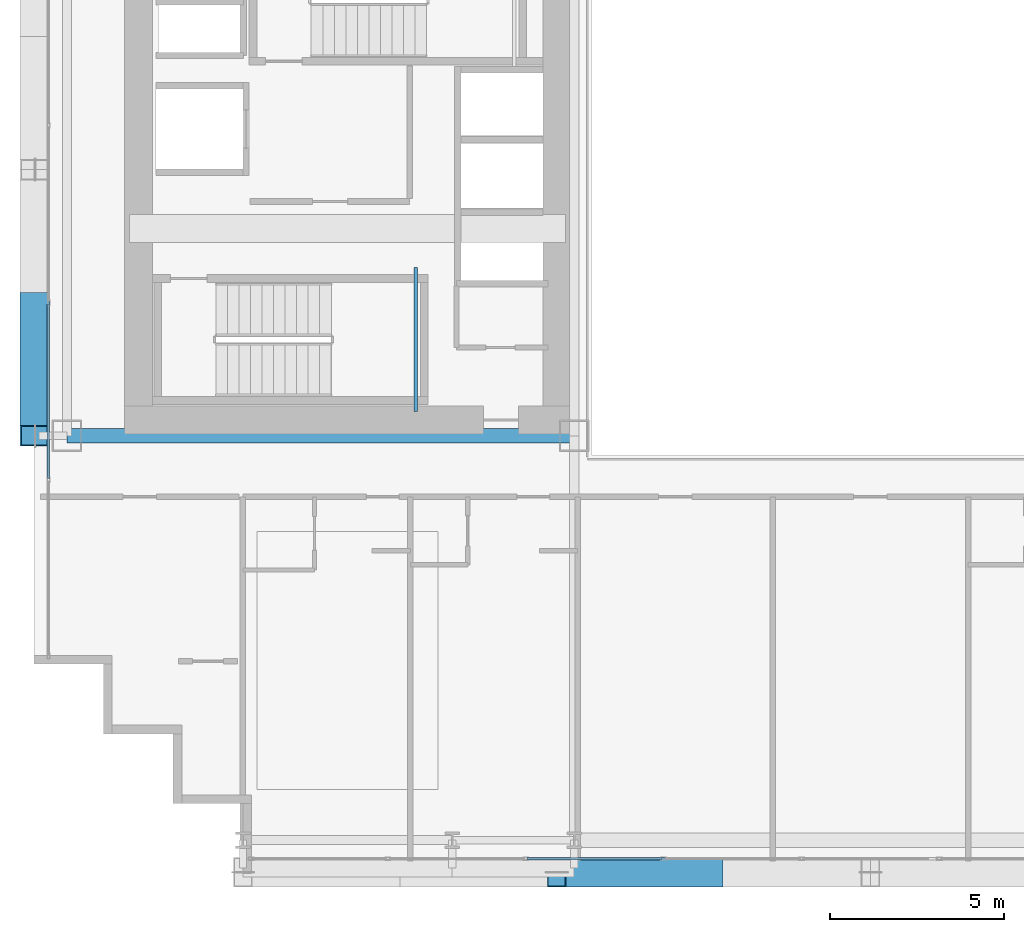
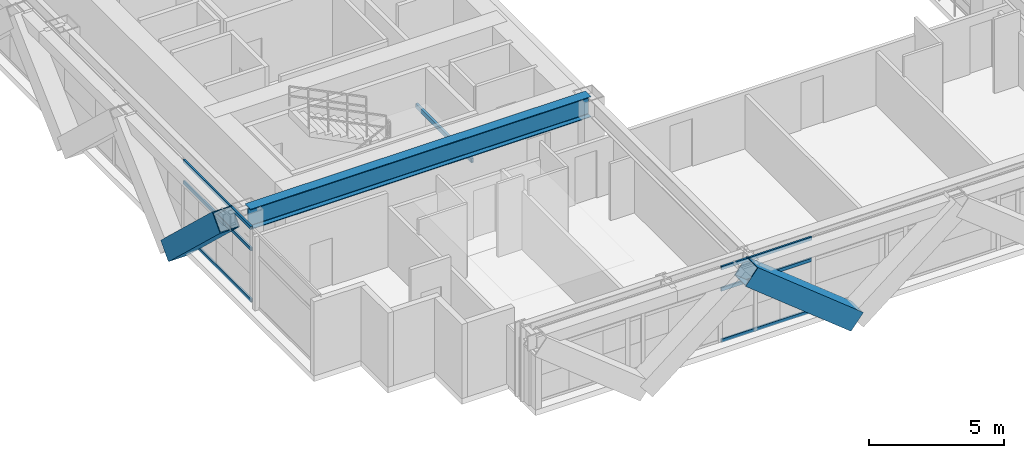
# One storey, part 4 of 38: 8 members, 2 beams, 2 elements without a shape of their own.
"""IFC4 building model written with IfcOpenShell, lengths in metres."""

from ifc_helpers import new_model, si_unit, direction, frame, origin, origin_2d, place, context, subcontext, project, spatial, hollow_rectangle, i_section, extrude, source, transform, mapped, material, layer, layer_set, material_profile, profile_set, type_object, element, aggregate, save


model = new_model("IFC4")

# Units and contexts
model_context = context("Model", 3, precision=1e-05, world=origin(), true_north=direction((0.0, 1.0)))
body_context = subcontext(model_context, "Body", "Model", "MODEL_VIEW")
ifc_project = project(units=[si_unit("LENGTHUNIT", "METRE"), si_unit("AREAUNIT", "SQUARE_METRE"), si_unit("VOLUMEUNIT", "CUBIC_METRE"), si_unit("PLANEANGLEUNIT", "RADIAN"), si_unit("MASSUNIT", "GRAM", prefix="KILO")], contexts=[model_context])

# Site, building, storey
site_placement = place(None, origin())
site = spatial("IfcSite", under=ifc_project, at=site_placement, CompositionType="ELEMENT")
building_placement = place(site_placement, origin())
building = spatial("IfcBuilding", under=site, at=building_placement, Name="Ocotamira Hotel", CompositionType="ELEMENT")
storey_placement = place(building_placement, frame((0.0, 0.0, 74.39990234375)))
storey = spatial("IfcBuildingStorey", under=building, at=storey_placement, Name="L18", CompositionType="ELEMENT", Elevation=74.39990234375)

# Beams
ifc_material_1 = material(Name="Steel ASTM A500 Grade C", Category="steel")
ifc_material_profile_1 = material_profile(ifc_material_1, hollow_rectangle(XDim=0.10009765625, YDim=0.199951171875, WallThickness=0.008056640625, at=origin_2d()), Name="HSS200X100X8")
ifc_profile_set_1 = profile_set([ifc_material_profile_1], Name="Steel ASTM A500 Grade C")
beam_type_1 = type_object("IfcBeamType", Name="BM-STLDG-HSS200", PredefinedType="BEAM", material=ifc_profile_set_1)
shared_shape_1 = source(origin(), body_context, "Body", "SweptSolid", [
    extrude(hollow_rectangle(XDim=0.10009765625, YDim=0.199951171875, WallThickness=0.008056640625, at=origin_2d()), origin(), (0.0, 0.0, 1.0), 4.1201171875),
])
beam_1_placement = place(storey_placement, frame((18.949951171875, 15.25, 1.5), z_axis=(0.0, 1.0, 0.0), x_axis=(-1.0, 0.0, 0.0)))
element("IfcBeam", 1, at=beam_1_placement, inside=storey, type_object=beam_type_1, Name="L18 Stair ST-1 Landing Bearer 1", PredefinedType="BEAM", context=body_context, shape_type="MappedRepresentation", body=[
    mapped(shared_shape_1, transform((0.0, 0.0, 0.0), scale=1.0)),
])
ifc_material_2 = material(Name="Steel ASTM A992 Grade 50", Category="steel")
ifc_material_profile_2 = material_profile(ifc_material_2, i_section(OverallWidth=0.41796875, OverallDepth=0.927001953125, WebThickness=0.019287109375, FlangeThickness=0.031982421875, FilletRadius=0.02392578125, at=origin_2d()), Name="W36X231")
ifc_profile_set_2 = profile_set([ifc_material_profile_2], Name="Steel ASTM A992 Grade 50")
beam_type_2 = type_object("IfcBeamType", Name="BM-GIRD-W36X231", PredefinedType="BEAM", material=ifc_profile_set_2)
shared_shape_2 = source(origin(), body_context, "Body", "SweptSolid", [
    extrude(i_section(OverallWidth=0.41796875, OverallDepth=0.927001953125, WebThickness=0.019287109375, FlangeThickness=0.031982421875, FilletRadius=0.02392578125, at=origin_2d()), origin(), (0.0, 0.0, 1.0), 14.550048828125),
])
beam_2_placement = place(storey_placement, frame((8.949951171875, 14.550048828125, 2.88671875), z_axis=(1.0, 0.0, 0.0), x_axis=(0.0, 1.0, 0.0)))
element("IfcBeam", 2, at=beam_2_placement, inside=storey, type_object=beam_type_2, Name="L18 Girder Y14.55 X8.95-23.5", PredefinedType="BEAM", context=body_context, shape_type="MappedRepresentation", body=[
    mapped(shared_shape_2, transform((0.0, 0.0, 0.0), scale=1.0)),
])

# Members
ifc_material_3 = material(Name="Pale-metal coated steel ASTM A913 Grade 65", Category="steel")
ifc_material_profile_3 = material_profile(ifc_material_3, hollow_rectangle(XDim=0.85009765625, YDim=0.85009765625, WallThickness=0.035888671875, at=origin_2d()), Name="BOX850X850X36")
ifc_profile_set_3 = profile_set([ifc_material_profile_3], Name="Pale-metal coated steel ASTM A913 Grade 65")
member_type_1 = type_object("IfcMemberType", Name="MEM-EXO-BOX850", PredefinedType="BRACE", material=ifc_profile_set_3)
shared_shape_3 = source(origin(), body_context, "Body", "SweptSolid", [
    extrude(hollow_rectangle(XDim=0.85009765625, YDim=0.85009765625, WallThickness=0.035888671875, at=origin_2d()), origin(), (0.0, 0.0, 1.0), 5.24658203125),
])
member_1_placement = place(storey_placement, frame((8.030029296875, 18.36669921875, -0.5), z_axis=(0.0, -0.727442733726, 0.686168397078), x_axis=(1.0, 0.0, 0.0)))
element("IfcMember", 3, at=member_1_placement, inside=storey, type_object=member_type_1, Name="L18 Exoskeleton Diagrid W0.1", PredefinedType="BRACE", context=body_context, shape_type="MappedRepresentation", body=[
    mapped(shared_shape_3, transform((0.0, 0.0, 0.0), scale=1.0)),
])
shared_shape_4 = source(origin(), body_context, "Body", "SweptSolid", [
    extrude(hollow_rectangle(XDim=0.85009765625, YDim=0.85009765625, WallThickness=0.035888671875, at=origin_2d()), origin(), (0.0, 0.0, 1.0), 5.762939453125),
])
member_2_placement = place(storey_placement, frame((27.5, 2.030029296875, -0.5), z_axis=(-0.780860543151, 0.0, 0.624705380279), x_axis=(0.0, -1.0, 0.0)))
element("IfcMember", 4, at=member_2_placement, inside=storey, type_object=member_type_1, Name="L18 Exoskeleton Diagrid S1.1", PredefinedType="BRACE", context=body_context, shape_type="MappedRepresentation", body=[
    mapped(shared_shape_4, transform((0.0, 0.0, 0.0), scale=1.0)),
])

# Curtain wall, members
ifc_material_4 = material(Name="Anodised pale-metal aluminium and solar glass", Category="aluminium")
ifc_layer = layer(ifc_material_4, 0.179931640625)
ifc_layer_set = layer_set([ifc_layer], Name="Anodised pale-metal aluminium and solar glass")
curtain_wall_type = type_object("IfcCurtainWallType", Name="CW-SYS2-Z1", PredefinedType="NOTDEFINED", material=ifc_layer_set)
curtain_wall_1_placement = place(storey_placement, origin())
curtain_wall_1 = element("IfcCurtainWall", 5, at=curtain_wall_1_placement, inside=storey, type_object=curtain_wall_type, Name="L18 Curtain Wall CW-2 CW-L18-S1", PredefinedType="NOTDEFINED")
ifc_material_5 = material(Name="Anodised pale-metal aluminium 6063-T6", Category="aluminium")
ifc_material_profile_4 = material_profile(ifc_material_5, hollow_rectangle(XDim=0.074951171875, YDim=0.14990234375, WallThickness=0.006103515625, at=origin_2d()), Name="HSS150X75X6")
ifc_profile_set_4 = profile_set([ifc_material_profile_4], Name="Anodised pale-metal aluminium 6063-T6")
member_type_2 = type_object("IfcMemberType", Name="CWT-150X75", PredefinedType="USERDEFINED", material=ifc_profile_set_4)
shared_shape_5 = source(origin(), body_context, "Body", "SweptSolid", [
    extrude(hollow_rectangle(XDim=0.074951171875, YDim=0.14990234375, WallThickness=0.006103515625, at=origin_2d()), origin(), (0.0, 0.0, 1.0), 3.87548828125),
])
member_3_placement = place(storey_placement, frame((22.151123046875, 2.419921875, 0.03759765625), z_axis=(1.0, 0.0, 0.0), x_axis=(0.0, 1.0, 0.0)))
member_3 = element("IfcMember", 6, at=member_3_placement, type_object=member_type_2, Name="CW-2 transom 3.1", ObjectType="TRANSOM", PredefinedType="USERDEFINED", context=body_context, shape_type="MappedRepresentation", body=[
    mapped(shared_shape_5, transform((0.0, 0.0, 0.0), scale=1.0)),
])
member_4_placement = place(storey_placement, frame((22.151123046875, 2.419921875, 2.35009765625), z_axis=(1.0, 0.0, 0.0), x_axis=(0.0, 1.0, 0.0)))
member_4 = element("IfcMember", 7, at=member_4_placement, type_object=member_type_2, Name="CW-2 transom 3.2", ObjectType="TRANSOM", PredefinedType="USERDEFINED", context=body_context, shape_type="MappedRepresentation", body=[
    mapped(shared_shape_5, transform((0.0, 0.0, 0.0), scale=1.0)),
])
member_5_placement = place(storey_placement, frame((22.151123046875, 2.419921875, 3.3125), z_axis=(1.0, 0.0, 0.0), x_axis=(0.0, 1.0, 0.0)))
member_5 = element("IfcMember", 8, at=member_5_placement, type_object=member_type_2, Name="CW-2 transom 3.3", ObjectType="TRANSOM", PredefinedType="USERDEFINED", context=body_context, shape_type="MappedRepresentation", body=[
    mapped(shared_shape_5, transform((0.0, 0.0, 0.0), scale=1.0)),
])
aggregate(curtain_wall_1, [member_3, member_4, member_5])

curtain_wall_2_placement = place(storey_placement, origin())
curtain_wall_2 = element("IfcCurtainWall", 9, at=curtain_wall_2_placement, inside=storey, type_object=curtain_wall_type, Name="L18 Curtain Wall CW-2 CW-L18-W", PredefinedType="NOTDEFINED")
shared_shape_6 = source(origin(), body_context, "Body", "SweptSolid", [
    extrude(hollow_rectangle(XDim=0.074951171875, YDim=0.14990234375, WallThickness=0.006103515625, at=origin_2d()), origin(), (0.0, 0.0, 1.0), 5.005859375),
])
member_6_placement = place(storey_placement, frame((8.419921875, 13.32568359375, 0.03759765625), z_axis=(0.0, 1.0, 0.0), x_axis=(-1.0, 0.0, 0.0)))
member_6 = element("IfcMember", 10, at=member_6_placement, type_object=member_type_2, Name="CW-2 transom 2.1", ObjectType="TRANSOM", PredefinedType="USERDEFINED", context=body_context, shape_type="MappedRepresentation", body=[
    mapped(shared_shape_6, transform((0.0, 0.0, 0.0), scale=1.0)),
])
member_7_placement = place(storey_placement, frame((8.419921875, 13.32568359375, 2.35009765625), z_axis=(0.0, 1.0, 0.0), x_axis=(-1.0, 0.0, 0.0)))
member_7 = element("IfcMember", 11, at=member_7_placement, type_object=member_type_2, Name="CW-2 transom 2.2", ObjectType="TRANSOM", PredefinedType="USERDEFINED", context=body_context, shape_type="MappedRepresentation", body=[
    mapped(shared_shape_6, transform((0.0, 0.0, 0.0), scale=1.0)),
])
member_8_placement = place(storey_placement, frame((8.419921875, 13.32568359375, 3.3125), z_axis=(0.0, 1.0, 0.0), x_axis=(-1.0, 0.0, 0.0)))
member_8 = element("IfcMember", 12, at=member_8_placement, type_object=member_type_2, Name="CW-2 transom 2.3", ObjectType="TRANSOM", PredefinedType="USERDEFINED", context=body_context, shape_type="MappedRepresentation", body=[
    mapped(shared_shape_6, transform((0.0, 0.0, 0.0), scale=1.0)),
])
aggregate(curtain_wall_2, [member_6, member_7, member_8])

save(model, "model.ifc")
